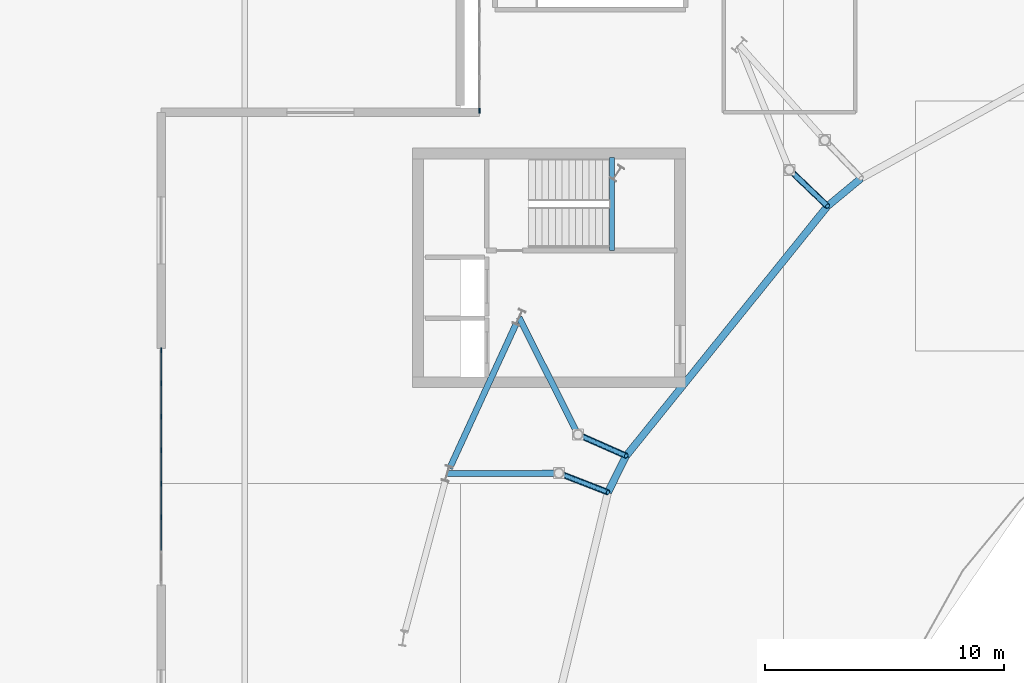
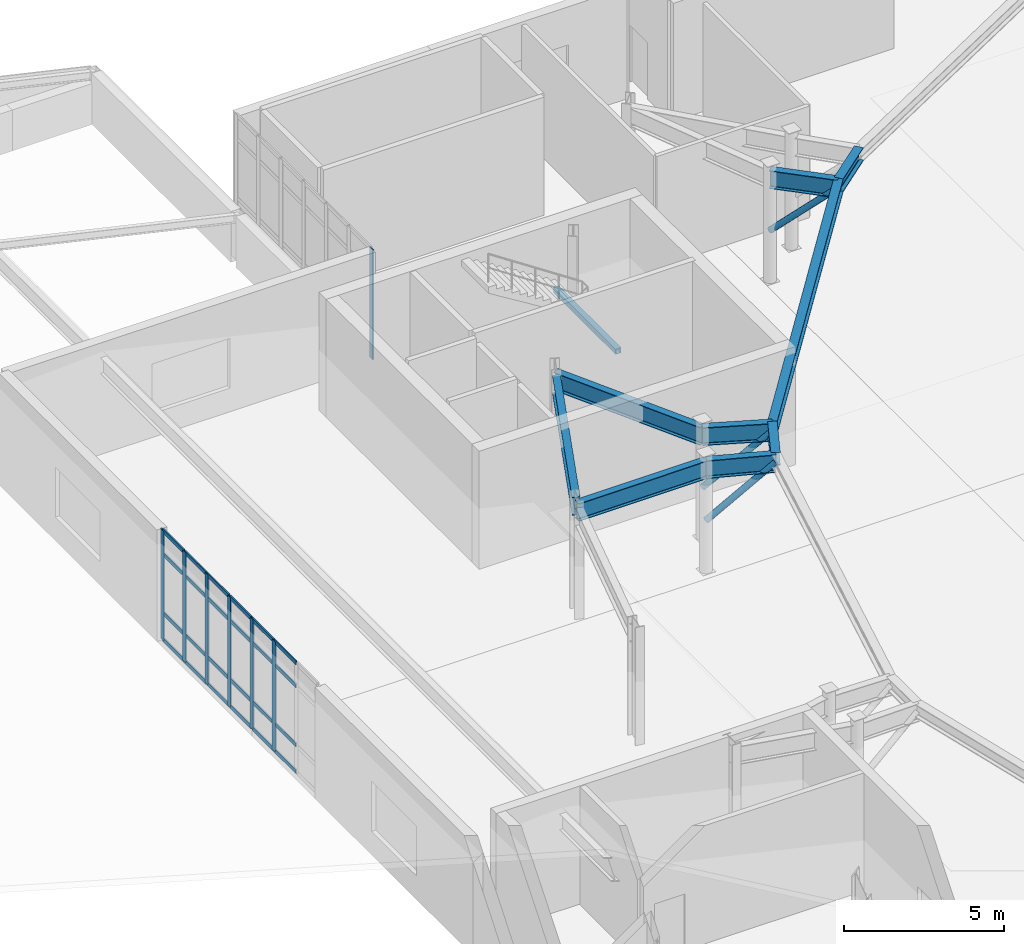
# One storey, part 24 of 48: 34 members, 10 beams, 2 elements without a shape of their own.
"""IFC4 building model written with IfcOpenShell, lengths in metres."""

from ifc_helpers import new_model, si_unit, direction, frame, origin, origin_2d, place, context, subcontext, project, spatial, rectangle, hollow_rectangle, hollow_circle, i_section, extrude, material, material_profile, profile_set, type_object, element, aggregate, save


model = new_model("IFC4")

# Units and contexts
model_context = context("Model", 3, precision=1e-05, world=origin(), true_north=direction((0.0, 1.0)))
body_context = subcontext(model_context, "Body", "Model", "MODEL_VIEW")
ifc_project = project(units=[si_unit("LENGTHUNIT", "METRE"), si_unit("AREAUNIT", "SQUARE_METRE"), si_unit("VOLUMEUNIT", "CUBIC_METRE"), si_unit("PLANEANGLEUNIT", "RADIAN"), si_unit("MASSUNIT", "GRAM", prefix="KILO")], contexts=[model_context])

# Site, building, storey
site_placement = place(None, origin())
site = spatial("IfcSite", under=ifc_project, at=site_placement, CompositionType="ELEMENT")
building_placement = place(site_placement, origin())
building = spatial("IfcBuilding", under=site, at=building_placement, Name="Glasvene Arena", CompositionType="ELEMENT")
storey_placement = place(building_placement, frame((0.0, 0.0, 19.5)))
storey = spatial("IfcBuildingStorey", under=building, at=storey_placement, Name="L04", CompositionType="ELEMENT", Elevation=19.5)

# Beams
ifc_material_1 = material(Name="Steel S355J2", Category="steel")
ifc_material_profile_1 = material_profile(ifc_material_1, i_section(OverallWidth=0.300048828125, OverallDepth=0.5, WebThickness=0.014404296875, FlangeThickness=0.028076171875, FilletRadius=0.027099609375, at=origin_2d()), Name="HEB 500")
ifc_profile_set_1 = profile_set([ifc_material_profile_1], Name="Steel S355J2")
beam_type_1 = type_object("IfcBeamType", Name="BM-EAVE-CANT", PredefinedType="BEAM", material=ifc_profile_set_1)
beam_1_placement = place(storey_placement, frame((61.739501953125, 99.24365234375, 4.0), z_axis=(-0.770027193344, -0.638011066919, 0.0), x_axis=(0.638011066919, -0.770027193344, 0.0)))
element("IfcBeam", 1, at=beam_1_placement, inside=storey, type_object=beam_type_1, Name="Gondola inner ring girder 12", PredefinedType="BEAM", context=body_context, shape_type="SweptSolid", body=[
    extrude(i_section(OverallWidth=0.300048828125, OverallDepth=0.5, WebThickness=0.014404296875, FlangeThickness=0.028076171875, FilletRadius=0.027099609375, at=origin_2d()), origin(), (0.0, 0.0, 1.0), 1.8251953125),
])
beam_2_placement = place(storey_placement, frame((60.333984375, 98.0791015625, 4.0), z_axis=(-0.627641676125, -0.778502361198, 0.0), x_axis=(0.778502361198, -0.627641676125, 0.0)))
element("IfcBeam", 2, at=beam_2_placement, inside=storey, type_object=beam_type_1, Name="Gondola inner ring girder 13", PredefinedType="BEAM", context=body_context, shape_type="SweptSolid", body=[
    extrude(i_section(OverallWidth=0.300048828125, OverallDepth=0.5, WebThickness=0.014404296875, FlangeThickness=0.028076171875, FilletRadius=0.027099609375, at=origin_2d()), origin(), (0.0, 0.0, 1.0), 13.39794921875),
])
beam_3_placement = place(storey_placement, frame((51.9248046875, 87.648681640625, 4.0), z_axis=(-0.447041372235, -0.894513281908, 0.0), x_axis=(0.894513281908, -0.447041372235, 0.0)))
element("IfcBeam", 3, at=beam_3_placement, inside=storey, type_object=beam_type_1, Name="Gondola inner ring girder 14", PredefinedType="BEAM", context=body_context, shape_type="SweptSolid", body=[
    extrude(i_section(OverallWidth=0.300048828125, OverallDepth=0.5, WebThickness=0.014404296875, FlangeThickness=0.028076171875, FilletRadius=0.027099609375, at=origin_2d()), origin(), (0.0, 0.0, 1.0), 1.701171875),
])
ifc_material_profile_2 = material_profile(ifc_material_1, i_section(OverallWidth=0.253662109375, OverallDepth=0.68359375, WebThickness=0.012451171875, FlangeThickness=0.01904296875, FilletRadius=0.01513671875, at=origin_2d()), Name="UKB 686x254x140")
ifc_profile_set_2 = profile_set([ifc_material_profile_2], Name="Steel S355J2")
beam_type_2 = type_object("IfcBeamType", Name="BM-GIRD-686", PredefinedType="BEAM", material=ifc_profile_set_2)
beam_4_placement = place(storey_placement, frame((47.349365234375, 93.211669921875, 3.908203125), z_axis=(-0.418069169042, -0.908415196866, 0.0), x_axis=(0.908415196866, -0.418069169042, 0.0)))
element("IfcBeam", 4, at=beam_4_placement, inside=storey, type_object=beam_type_2, Name="Bowl ring chord beam L04-18", PredefinedType="BEAM", context=body_context, shape_type="SweptSolid", body=[
    extrude(i_section(OverallWidth=0.253662109375, OverallDepth=0.68359375, WebThickness=0.012451171875, FlangeThickness=0.01904296875, FilletRadius=0.01513671875, at=origin_2d()), origin(), (0.0, 0.0, 1.0), 6.70166015625),
])
beam_5_placement = place(storey_placement, frame((60.333984375, 98.0791015625, 3.908203125), z_axis=(-0.722959897674, 0.690889995843, 0.0), x_axis=(-0.690889995843, -0.722959897674, 0.0)))
element("IfcBeam", 5, at=beam_5_placement, inside=storey, type_object=beam_type_2, Name="Gondola inner bracket beam 13", PredefinedType="BEAM", context=body_context, shape_type="SweptSolid", body=[
    extrude(i_section(OverallWidth=0.253662109375, OverallDepth=0.68359375, WebThickness=0.012451171875, FlangeThickness=0.01904296875, FilletRadius=0.01513671875, at=origin_2d()), origin(), (0.0, 0.0, 1.0), 2.2001953125),
])
beam_6_placement = place(storey_placement, frame((49.911865234375, 88.53662109375, 3.908203125), z_axis=(-0.449494152887, 0.893283273391, 0.0), x_axis=(-0.893283273391, -0.449494152887, 0.0)))
element("IfcBeam", 6, at=beam_6_placement, inside=storey, type_object=beam_type_2, Name="Gondola outer floor beam 14", PredefinedType="BEAM", context=body_context, shape_type="SweptSolid", body=[
    extrude(i_section(OverallWidth=0.253662109375, OverallDepth=0.68359375, WebThickness=0.012451171875, FlangeThickness=0.01904296875, FilletRadius=0.01513671875, at=origin_2d()), origin(), (0.0, 0.0, 1.0), 5.4775390625),
])
beam_7_placement = place(storey_placement, frame((51.9248046875, 87.648681640625, 3.908203125), z_axis=(-0.914938290662, 0.403593761448, 0.0), x_axis=(-0.403593761448, -0.914938290662, 0.0)))
element("IfcBeam", 7, at=beam_7_placement, inside=storey, type_object=beam_type_2, Name="Gondola inner bracket beam 14", PredefinedType="BEAM", context=body_context, shape_type="SweptSolid", body=[
    extrude(i_section(OverallWidth=0.253662109375, OverallDepth=0.68359375, WebThickness=0.012451171875, FlangeThickness=0.01904296875, FilletRadius=0.01513671875, at=origin_2d()), origin(), (0.0, 0.0, 1.0), 2.2001953125),
])
beam_8_placement = place(storey_placement, frame((49.113037109375, 86.922607421875, 3.908203125), z_axis=(-0.999993482259, -0.003610462575, 0.0), x_axis=(0.003610462575, -0.999993482259, 0.0)))
element("IfcBeam", 8, at=beam_8_placement, inside=storey, type_object=beam_type_2, Name="Gondola outer floor beam 15", PredefinedType="BEAM", context=body_context, shape_type="SweptSolid", body=[
    extrude(i_section(OverallWidth=0.253662109375, OverallDepth=0.68359375, WebThickness=0.012451171875, FlangeThickness=0.01904296875, FilletRadius=0.01513671875, at=origin_2d()), origin(), (0.0, 0.0, 1.0), 4.665771484375),
])
beam_9_placement = place(storey_placement, frame((51.164306640625, 86.126953125, 3.908203125), z_axis=(-0.932320846593, 0.361632187461, 0.0), x_axis=(-0.361632187461, -0.932320846593, 0.0)))
element("IfcBeam", 9, at=beam_9_placement, inside=storey, type_object=beam_type_2, Name="Gondola inner bracket beam 15", PredefinedType="BEAM", context=body_context, shape_type="SweptSolid", body=[
    extrude(i_section(OverallWidth=0.253662109375, OverallDepth=0.68359375, WebThickness=0.012451171875, FlangeThickness=0.01904296875, FilletRadius=0.01513671875, at=origin_2d()), origin(), (0.0, 0.0, 1.0), 2.2001953125),
])
ifc_material_profile_3 = material_profile(ifc_material_1, hollow_rectangle(XDim=0.199951171875, YDim=0.199951171875, WallThickness=0.010009765625, at=origin_2d()), Name="SHS 200x200x10.0")
ifc_profile_set_3 = profile_set([ifc_material_profile_3], Name="Steel S355J2")
beam_type_3 = type_object("IfcBeamType", Name="BM-LINTEL-200", PredefinedType="LINTEL", material=ifc_profile_set_3)
beam_10_placement = place(storey_placement, frame((51.330078125, 96.22998046875, 1.929931640625), z_axis=(0.0, 1.0, 0.0), x_axis=(-1.0, 0.0, 0.0)))
element("IfcBeam", 10, at=beam_10_placement, inside=storey, type_object=beam_type_3, Name="Stair half-landing support beam ST-01-L04", PredefinedType="LINTEL", context=body_context, shape_type="SweptSolid", body=[
    extrude(hollow_rectangle(XDim=0.199951171875, YDim=0.199951171875, WallThickness=0.010009765625, at=origin_2d()), origin(), (0.0, 0.0, 1.0), 3.89013671875),
])

# Curtain wall, members
ifc_material_2 = material(Name="Low-emissivity laminated double glazing", Category="glass")
curtain_wall_type_1 = type_object("IfcCurtainWallType", Name="CW-FAC-L04-980x419", PredefinedType="USERDEFINED", material=ifc_material_2)
curtain_wall_1_placement = place(storey_placement, frame((32.5, 82.2900390625, 0.0)))
curtain_wall_1 = element("IfcCurtainWall", 11, at=curtain_wall_1_placement, inside=storey, type_object=curtain_wall_type_1, Name="Unitised curtain wall CW-F-L04-180-325-872-13", ObjectType="CURTAIN WALL", PredefinedType="USERDEFINED")
ifc_material_3 = material(Name="Anodised architectural aluminium", Category="aluminium")
ifc_material_profile_4 = material_profile(ifc_material_3, rectangle(XDim=0.050048828125, YDim=0.199951171875, at=origin_2d()), Name="ALU MULLION 50x200")
ifc_profile_set_4 = profile_set([ifc_material_profile_4], Name="Anodised architectural aluminium")
member_type_1 = type_object("IfcMemberType", Name="CW-MUL-180", PredefinedType="MULLION", material=ifc_profile_set_4)
member_1_placement = place(storey_placement, frame((32.5, 85.088623046875, 0.06005859375), z_axis=(0.0, 0.0, 1.0), x_axis=(-1.0, 0.0, 0.0)))
member_1 = element("IfcMember", 12, at=member_1_placement, type_object=member_type_1, Name="CW-047 mullion 3", PredefinedType="MULLION", context=body_context, shape_type="SweptSolid", body=[
    extrude(rectangle(XDim=0.050048828125, YDim=0.199951171875, at=origin_2d()), origin(), (0.0, 0.0, 1.0), 4.18994140625),
])
member_2_placement = place(storey_placement, frame((32.5, 86.48779296875, 0.06005859375), z_axis=(0.0, 0.0, 1.0), x_axis=(-1.0, 0.0, 0.0)))
member_2 = element("IfcMember", 13, at=member_2_placement, type_object=member_type_1, Name="CW-047 mullion 4", PredefinedType="MULLION", context=body_context, shape_type="SweptSolid", body=[
    extrude(rectangle(XDim=0.050048828125, YDim=0.199951171875, at=origin_2d()), origin(), (0.0, 0.0, 1.0), 4.18994140625),
])
member_3_placement = place(storey_placement, frame((32.5, 87.88720703125, 0.06005859375), z_axis=(0.0, 0.0, 1.0), x_axis=(-1.0, 0.0, 0.0)))
member_3 = element("IfcMember", 14, at=member_3_placement, type_object=member_type_1, Name="CW-047 mullion 5", PredefinedType="MULLION", context=body_context, shape_type="SweptSolid", body=[
    extrude(rectangle(XDim=0.050048828125, YDim=0.199951171875, at=origin_2d()), origin(), (0.0, 0.0, 1.0), 4.18994140625),
])
member_4_placement = place(storey_placement, frame((32.5, 89.286376953125, 0.06005859375), z_axis=(0.0, 0.0, 1.0), x_axis=(-1.0, 0.0, 0.0)))
member_4 = element("IfcMember", 15, at=member_4_placement, type_object=member_type_1, Name="CW-047 mullion 6", PredefinedType="MULLION", context=body_context, shape_type="SweptSolid", body=[
    extrude(rectangle(XDim=0.050048828125, YDim=0.199951171875, at=origin_2d()), origin(), (0.0, 0.0, 1.0), 4.18994140625),
])
member_5_placement = place(storey_placement, frame((32.5, 90.685791015625, 0.06005859375), z_axis=(0.0, 0.0, 1.0), x_axis=(-1.0, 0.0, 0.0)))
member_5 = element("IfcMember", 16, at=member_5_placement, type_object=member_type_1, Name="CW-047 mullion 7", PredefinedType="MULLION", context=body_context, shape_type="SweptSolid", body=[
    extrude(rectangle(XDim=0.050048828125, YDim=0.199951171875, at=origin_2d()), origin(), (0.0, 0.0, 1.0), 4.18994140625),
])
member_6_placement = place(storey_placement, frame((32.5, 92.06005859375, 0.06005859375), z_axis=(0.0, 0.0, 1.0), x_axis=(-1.0, 0.0, 0.0)))
member_6 = element("IfcMember", 17, at=member_6_placement, type_object=member_type_1, Name="CW-047 mullion 8", PredefinedType="MULLION", context=body_context, shape_type="SweptSolid", body=[
    extrude(rectangle(XDim=0.050048828125, YDim=0.199951171875, at=origin_2d()), origin(), (0.0, 0.0, 1.0), 4.18994140625),
])

# Curtain wall, member
curtain_wall_type_2 = type_object("IfcCurtainWallType", Name="CW-FAC-L04-847x419", PredefinedType="USERDEFINED", material=ifc_material_2)
curtain_wall_2_placement = place(storey_placement, frame((45.800048828125, 102.0400390625, 0.0)))
curtain_wall_2 = element("IfcCurtainWall", 18, at=curtain_wall_2_placement, inside=storey, type_object=curtain_wall_type_2, Name="Unitised curtain wall CW-F-L04-180-458-1063-16", ObjectType="CURTAIN WALL", PredefinedType="USERDEFINED")
member_7_placement = place(storey_placement, frame((45.800048828125, 102.06494140625, 0.06005859375), z_axis=(0.0, 0.0, 1.0), x_axis=(-1.0, 0.0, 0.0)))
member_7 = element("IfcMember", 19, at=member_7_placement, type_object=member_type_1, Name="CW-048 mullion 1", PredefinedType="MULLION", context=body_context, shape_type="SweptSolid", body=[
    extrude(rectangle(XDim=0.050048828125, YDim=0.199951171875, at=origin_2d()), origin(), (0.0, 0.0, 1.0), 4.18994140625),
])
aggregate(curtain_wall_2, [member_7])

# Member
ifc_material_profile_5 = material_profile(ifc_material_3, rectangle(XDim=0.050048828125, YDim=0.14990234375, at=origin_2d()), Name="ALU TRANSOM 50x150")
ifc_profile_set_5 = profile_set([ifc_material_profile_5], Name="Anodised architectural aluminium")
member_type_2 = type_object("IfcMemberType", Name="CW-TRN-150", PredefinedType="USERDEFINED", material=ifc_profile_set_5)
member_8_placement = place(storey_placement, frame((32.5, 83.71435546875, 0.0849609375), z_axis=(0.0, 1.0, 0.0), x_axis=(-1.0, 0.0, 0.0)))
member_8 = element("IfcMember", 20, at=member_8_placement, type_object=member_type_2, Name="CW-047 transom 2.1", ObjectType="TRANSOM", PredefinedType="USERDEFINED", context=body_context, shape_type="SweptSolid", body=[
    extrude(rectangle(XDim=0.050048828125, YDim=0.14990234375, at=origin_2d()), origin(), (0.0, 0.0, 1.0), 1.34912109375),
])

member_9_placement = place(storey_placement, frame((32.5, 83.71435546875, 1.10009765625), z_axis=(0.0, 1.0, 0.0), x_axis=(-1.0, 0.0, 0.0)))
member_9 = element("IfcMember", 21, at=member_9_placement, type_object=member_type_2, Name="CW-047 transom 2.2", ObjectType="TRANSOM", PredefinedType="USERDEFINED", context=body_context, shape_type="SweptSolid", body=[
    extrude(rectangle(XDim=0.050048828125, YDim=0.14990234375, at=origin_2d()), origin(), (0.0, 0.0, 1.0), 1.34912109375),
])

member_10_placement = place(storey_placement, frame((32.5, 83.71435546875, 3.35009765625), z_axis=(0.0, 1.0, 0.0), x_axis=(-1.0, 0.0, 0.0)))
member_10 = element("IfcMember", 22, at=member_10_placement, type_object=member_type_2, Name="CW-047 transom 2.3", ObjectType="TRANSOM", PredefinedType="USERDEFINED", context=body_context, shape_type="SweptSolid", body=[
    extrude(rectangle(XDim=0.050048828125, YDim=0.14990234375, at=origin_2d()), origin(), (0.0, 0.0, 1.0), 1.34912109375),
])

member_11_placement = place(storey_placement, frame((32.5, 83.71435546875, 4.22509765625), z_axis=(0.0, 1.0, 0.0), x_axis=(-1.0, 0.0, 0.0)))
member_11 = element("IfcMember", 23, at=member_11_placement, type_object=member_type_2, Name="CW-047 transom 2.4", ObjectType="TRANSOM", PredefinedType="USERDEFINED", context=body_context, shape_type="SweptSolid", body=[
    extrude(rectangle(XDim=0.050048828125, YDim=0.14990234375, at=origin_2d()), origin(), (0.0, 0.0, 1.0), 1.34912109375),
])

member_12_placement = place(storey_placement, frame((32.5, 85.113525390625, 0.0849609375), z_axis=(0.0, 1.0, 0.0), x_axis=(-1.0, 0.0, 0.0)))
member_12 = element("IfcMember", 24, at=member_12_placement, type_object=member_type_2, Name="CW-047 transom 3.1", ObjectType="TRANSOM", PredefinedType="USERDEFINED", context=body_context, shape_type="SweptSolid", body=[
    extrude(rectangle(XDim=0.050048828125, YDim=0.14990234375, at=origin_2d()), origin(), (0.0, 0.0, 1.0), 1.349365234375),
])

member_13_placement = place(storey_placement, frame((32.5, 85.113525390625, 1.10009765625), z_axis=(0.0, 1.0, 0.0), x_axis=(-1.0, 0.0, 0.0)))
member_13 = element("IfcMember", 25, at=member_13_placement, type_object=member_type_2, Name="CW-047 transom 3.2", ObjectType="TRANSOM", PredefinedType="USERDEFINED", context=body_context, shape_type="SweptSolid", body=[
    extrude(rectangle(XDim=0.050048828125, YDim=0.14990234375, at=origin_2d()), origin(), (0.0, 0.0, 1.0), 1.349365234375),
])

member_14_placement = place(storey_placement, frame((32.5, 85.113525390625, 3.35009765625), z_axis=(0.0, 1.0, 0.0), x_axis=(-1.0, 0.0, 0.0)))
member_14 = element("IfcMember", 26, at=member_14_placement, type_object=member_type_2, Name="CW-047 transom 3.3", ObjectType="TRANSOM", PredefinedType="USERDEFINED", context=body_context, shape_type="SweptSolid", body=[
    extrude(rectangle(XDim=0.050048828125, YDim=0.14990234375, at=origin_2d()), origin(), (0.0, 0.0, 1.0), 1.349365234375),
])

member_15_placement = place(storey_placement, frame((32.5, 85.113525390625, 4.22509765625), z_axis=(0.0, 1.0, 0.0), x_axis=(-1.0, 0.0, 0.0)))
member_15 = element("IfcMember", 27, at=member_15_placement, type_object=member_type_2, Name="CW-047 transom 3.4", ObjectType="TRANSOM", PredefinedType="USERDEFINED", context=body_context, shape_type="SweptSolid", body=[
    extrude(rectangle(XDim=0.050048828125, YDim=0.14990234375, at=origin_2d()), origin(), (0.0, 0.0, 1.0), 1.349365234375),
])

member_16_placement = place(storey_placement, frame((32.5, 86.512939453125, 0.0849609375), z_axis=(0.0, 1.0, 0.0), x_axis=(-1.0, 0.0, 0.0)))
member_16 = element("IfcMember", 28, at=member_16_placement, type_object=member_type_2, Name="CW-047 transom 4.1", ObjectType="TRANSOM", PredefinedType="USERDEFINED", context=body_context, shape_type="SweptSolid", body=[
    extrude(rectangle(XDim=0.050048828125, YDim=0.14990234375, at=origin_2d()), origin(), (0.0, 0.0, 1.0), 1.34912109375),
])

member_17_placement = place(storey_placement, frame((32.5, 86.512939453125, 1.10009765625), z_axis=(0.0, 1.0, 0.0), x_axis=(-1.0, 0.0, 0.0)))
member_17 = element("IfcMember", 29, at=member_17_placement, type_object=member_type_2, Name="CW-047 transom 4.2", ObjectType="TRANSOM", PredefinedType="USERDEFINED", context=body_context, shape_type="SweptSolid", body=[
    extrude(rectangle(XDim=0.050048828125, YDim=0.14990234375, at=origin_2d()), origin(), (0.0, 0.0, 1.0), 1.34912109375),
])

member_18_placement = place(storey_placement, frame((32.5, 86.512939453125, 3.35009765625), z_axis=(0.0, 1.0, 0.0), x_axis=(-1.0, 0.0, 0.0)))
member_18 = element("IfcMember", 30, at=member_18_placement, type_object=member_type_2, Name="CW-047 transom 4.3", ObjectType="TRANSOM", PredefinedType="USERDEFINED", context=body_context, shape_type="SweptSolid", body=[
    extrude(rectangle(XDim=0.050048828125, YDim=0.14990234375, at=origin_2d()), origin(), (0.0, 0.0, 1.0), 1.34912109375),
])

member_19_placement = place(storey_placement, frame((32.5, 86.512939453125, 4.22509765625), z_axis=(0.0, 1.0, 0.0), x_axis=(-1.0, 0.0, 0.0)))
member_19 = element("IfcMember", 31, at=member_19_placement, type_object=member_type_2, Name="CW-047 transom 4.4", ObjectType="TRANSOM", PredefinedType="USERDEFINED", context=body_context, shape_type="SweptSolid", body=[
    extrude(rectangle(XDim=0.050048828125, YDim=0.14990234375, at=origin_2d()), origin(), (0.0, 0.0, 1.0), 1.34912109375),
])

member_20_placement = place(storey_placement, frame((32.5, 87.912109375, 0.0849609375), z_axis=(0.0, 1.0, 0.0), x_axis=(-1.0, 0.0, 0.0)))
member_20 = element("IfcMember", 32, at=member_20_placement, type_object=member_type_2, Name="CW-047 transom 5.1", ObjectType="TRANSOM", PredefinedType="USERDEFINED", context=body_context, shape_type="SweptSolid", body=[
    extrude(rectangle(XDim=0.050048828125, YDim=0.14990234375, at=origin_2d()), origin(), (0.0, 0.0, 1.0), 1.349365234375),
])

member_21_placement = place(storey_placement, frame((32.5, 87.912109375, 1.10009765625), z_axis=(0.0, 1.0, 0.0), x_axis=(-1.0, 0.0, 0.0)))
member_21 = element("IfcMember", 33, at=member_21_placement, type_object=member_type_2, Name="CW-047 transom 5.2", ObjectType="TRANSOM", PredefinedType="USERDEFINED", context=body_context, shape_type="SweptSolid", body=[
    extrude(rectangle(XDim=0.050048828125, YDim=0.14990234375, at=origin_2d()), origin(), (0.0, 0.0, 1.0), 1.349365234375),
])

member_22_placement = place(storey_placement, frame((32.5, 87.912109375, 3.35009765625), z_axis=(0.0, 1.0, 0.0), x_axis=(-1.0, 0.0, 0.0)))
member_22 = element("IfcMember", 34, at=member_22_placement, type_object=member_type_2, Name="CW-047 transom 5.3", ObjectType="TRANSOM", PredefinedType="USERDEFINED", context=body_context, shape_type="SweptSolid", body=[
    extrude(rectangle(XDim=0.050048828125, YDim=0.14990234375, at=origin_2d()), origin(), (0.0, 0.0, 1.0), 1.349365234375),
])

member_23_placement = place(storey_placement, frame((32.5, 87.912109375, 4.22509765625), z_axis=(0.0, 1.0, 0.0), x_axis=(-1.0, 0.0, 0.0)))
member_23 = element("IfcMember", 35, at=member_23_placement, type_object=member_type_2, Name="CW-047 transom 5.4", ObjectType="TRANSOM", PredefinedType="USERDEFINED", context=body_context, shape_type="SweptSolid", body=[
    extrude(rectangle(XDim=0.050048828125, YDim=0.14990234375, at=origin_2d()), origin(), (0.0, 0.0, 1.0), 1.349365234375),
])

member_24_placement = place(storey_placement, frame((32.5, 89.3115234375, 0.0849609375), z_axis=(0.0, 1.0, 0.0), x_axis=(-1.0, 0.0, 0.0)))
member_24 = element("IfcMember", 36, at=member_24_placement, type_object=member_type_2, Name="CW-047 transom 6.1", ObjectType="TRANSOM", PredefinedType="USERDEFINED", context=body_context, shape_type="SweptSolid", body=[
    extrude(rectangle(XDim=0.050048828125, YDim=0.14990234375, at=origin_2d()), origin(), (0.0, 0.0, 1.0), 1.34912109375),
])

member_25_placement = place(storey_placement, frame((32.5, 89.3115234375, 1.10009765625), z_axis=(0.0, 1.0, 0.0), x_axis=(-1.0, 0.0, 0.0)))
member_25 = element("IfcMember", 37, at=member_25_placement, type_object=member_type_2, Name="CW-047 transom 6.2", ObjectType="TRANSOM", PredefinedType="USERDEFINED", context=body_context, shape_type="SweptSolid", body=[
    extrude(rectangle(XDim=0.050048828125, YDim=0.14990234375, at=origin_2d()), origin(), (0.0, 0.0, 1.0), 1.34912109375),
])

member_26_placement = place(storey_placement, frame((32.5, 89.3115234375, 3.35009765625), z_axis=(0.0, 1.0, 0.0), x_axis=(-1.0, 0.0, 0.0)))
member_26 = element("IfcMember", 38, at=member_26_placement, type_object=member_type_2, Name="CW-047 transom 6.3", ObjectType="TRANSOM", PredefinedType="USERDEFINED", context=body_context, shape_type="SweptSolid", body=[
    extrude(rectangle(XDim=0.050048828125, YDim=0.14990234375, at=origin_2d()), origin(), (0.0, 0.0, 1.0), 1.34912109375),
])

member_27_placement = place(storey_placement, frame((32.5, 89.3115234375, 4.22509765625), z_axis=(0.0, 1.0, 0.0), x_axis=(-1.0, 0.0, 0.0)))
member_27 = element("IfcMember", 39, at=member_27_placement, type_object=member_type_2, Name="CW-047 transom 6.4", ObjectType="TRANSOM", PredefinedType="USERDEFINED", context=body_context, shape_type="SweptSolid", body=[
    extrude(rectangle(XDim=0.050048828125, YDim=0.14990234375, at=origin_2d()), origin(), (0.0, 0.0, 1.0), 1.34912109375),
])

member_28_placement = place(storey_placement, frame((32.5, 90.710693359375, 0.0849609375), z_axis=(0.0, 1.0, 0.0), x_axis=(-1.0, 0.0, 0.0)))
member_28 = element("IfcMember", 40, at=member_28_placement, type_object=member_type_2, Name="CW-047 transom 7.1", ObjectType="TRANSOM", PredefinedType="USERDEFINED", context=body_context, shape_type="SweptSolid", body=[
    extrude(rectangle(XDim=0.050048828125, YDim=0.14990234375, at=origin_2d()), origin(), (0.0, 0.0, 1.0), 1.32421875),
])

member_29_placement = place(storey_placement, frame((32.5, 90.710693359375, 1.10009765625), z_axis=(0.0, 1.0, 0.0), x_axis=(-1.0, 0.0, 0.0)))
member_29 = element("IfcMember", 41, at=member_29_placement, type_object=member_type_2, Name="CW-047 transom 7.2", ObjectType="TRANSOM", PredefinedType="USERDEFINED", context=body_context, shape_type="SweptSolid", body=[
    extrude(rectangle(XDim=0.050048828125, YDim=0.14990234375, at=origin_2d()), origin(), (0.0, 0.0, 1.0), 1.32421875),
])

member_30_placement = place(storey_placement, frame((32.5, 90.710693359375, 3.35009765625), z_axis=(0.0, 1.0, 0.0), x_axis=(-1.0, 0.0, 0.0)))
member_30 = element("IfcMember", 42, at=member_30_placement, type_object=member_type_2, Name="CW-047 transom 7.3", ObjectType="TRANSOM", PredefinedType="USERDEFINED", context=body_context, shape_type="SweptSolid", body=[
    extrude(rectangle(XDim=0.050048828125, YDim=0.14990234375, at=origin_2d()), origin(), (0.0, 0.0, 1.0), 1.32421875),
])

member_31_placement = place(storey_placement, frame((32.5, 90.710693359375, 4.22509765625), z_axis=(0.0, 1.0, 0.0), x_axis=(-1.0, 0.0, 0.0)))
member_31 = element("IfcMember", 43, at=member_31_placement, type_object=member_type_2, Name="CW-047 transom 7.4", ObjectType="TRANSOM", PredefinedType="USERDEFINED", context=body_context, shape_type="SweptSolid", body=[
    extrude(rectangle(XDim=0.050048828125, YDim=0.14990234375, at=origin_2d()), origin(), (0.0, 0.0, 1.0), 1.32421875),
])

aggregate(curtain_wall_1, [member_1, member_2, member_3, member_4, member_5, member_6, member_8, member_9, member_10, member_11, member_12, member_13, member_14, member_15, member_16, member_17, member_18, member_19, member_20, member_21, member_22, member_23, member_24, member_25, member_26, member_27, member_28, member_29, member_30, member_31])

# Members
ifc_material_profile_6 = material_profile(ifc_material_1, hollow_circle(Radius=0.109619140625, WallThickness=0.010009765625, at=origin_2d()), Name="CHS 219.1x10.0")
ifc_profile_set_6 = profile_set([ifc_material_profile_6], Name="Steel S355J2")
member_type_3 = type_object("IfcMemberType", Name="MB-WEB-CHS219", PredefinedType="BRACE", material=ifc_profile_set_6)
for number, where, z_axis, x_axis, name in (
    (44, (58.743408203125, 99.59912109375, 1.89990234375), (0.534956799897, -0.511226559656, 0.672657882542), (0.690889995843, 0.722959897674, 0.0), "Gondola inclined knee strut 13"),
    (45, (49.911865234375, 88.53662109375, 1.89990234375), (0.677010952243, -0.298640246611, 0.672659032235), (0.403593761448, 0.914938290662, 0.0), "Gondola inclined knee strut 14"),
    (46, (49.113037109375, 86.922607421875, 1.89990234375), (0.689886462511, -0.267595808299, 0.672643406438), (0.361632187461, 0.932320846593, 0.0), "Gondola inclined knee strut 15"),
):
    element("IfcMember", number, at=place(storey_placement, frame(where, z_axis=z_axis, x_axis=x_axis)), inside=storey, type_object=member_type_3, Name=name, PredefinedType="BRACE", context=body_context, shape_type="SweptSolid", body=[
        extrude(hollow_circle(Radius=0.109619140625, WallThickness=0.010009765625, at=origin_2d()), origin(), (0.0, 0.0, 1.0), 2.973388671875),
    ])

save(model, "model.ifc")
